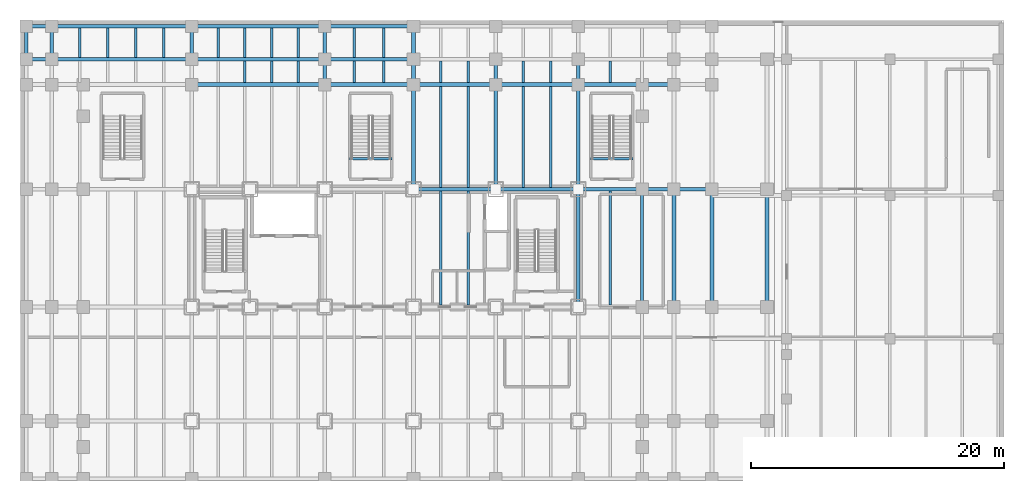
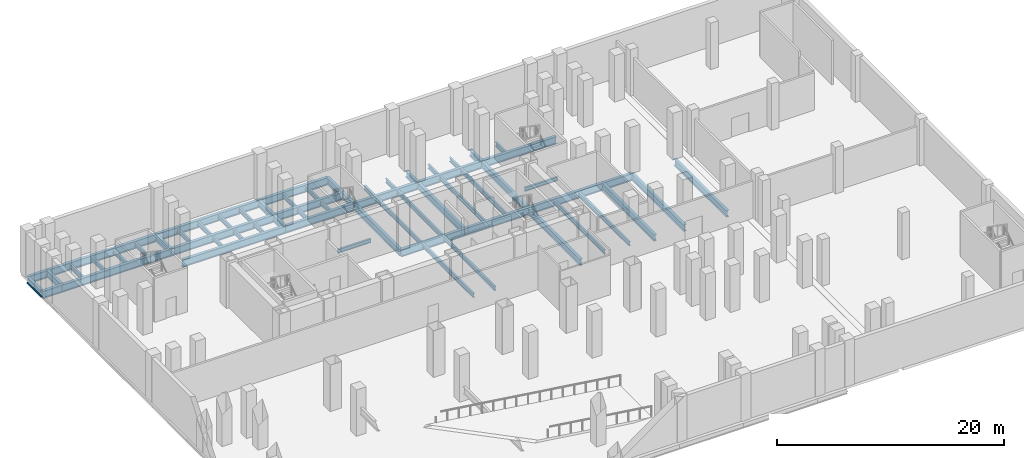
# One storey, part 5 of 18: 63 beams.
"""IFC4 building model written with IfcOpenShell, lengths in metres."""

from ifc_helpers import new_model, si_unit, direction, frame, origin, origin_2d, place, context, subcontext, project, spatial, i_section, extrude, material, material_profile, profile_set, type_object, element, save


model = new_model("IFC4")

# Units and contexts
model_context = context("Model", 3, precision=1e-05, world=origin(), true_north=direction((0.0, 1.0)))
body_context = subcontext(model_context, "Body", "Model", "MODEL_VIEW")
ifc_project = project(units=[si_unit("LENGTHUNIT", "METRE"), si_unit("AREAUNIT", "SQUARE_METRE"), si_unit("VOLUMEUNIT", "CUBIC_METRE"), si_unit("PLANEANGLEUNIT", "RADIAN"), si_unit("MASSUNIT", "GRAM", prefix="KILO")], contexts=[model_context])

# Site, building, storey
site_placement = place(None, origin())
site = spatial("IfcSite", under=ifc_project, at=site_placement, CompositionType="ELEMENT")
building_placement = place(site_placement, origin())
building = spatial("IfcBuilding", under=site, at=building_placement, Name="Noeulbin Bourse Tower", CompositionType="ELEMENT")
storey_placement = place(building_placement, frame((0.0, 0.0, -5.0)))
storey = spatial("IfcBuildingStorey", under=building, at=storey_placement, Name="B01", CompositionType="ELEMENT", Elevation=-5.0)

# Beams
ifc_material = material(Name="Steel S355", Category="steel")
ifc_material_profile_1 = material_profile(ifc_material, i_section(OverallWidth=0.300048828125, OverallDepth=0.699951171875, WebThickness=0.012939453125, FlangeThickness=0.02392578125, FilletRadius=0.02392578125, at=origin_2d()), Name="H-700x300x13x24", Category="LoadBearing")
ifc_profile_set_1 = profile_set([ifc_material_profile_1], Name="Steel S355")
beam_type_1 = type_object("IfcBeamType", Name="BM-GRD-700", PredefinedType="USERDEFINED", material=ifc_profile_set_1)
for number, where, z_axis, x_axis, name in (
    (1, (0.449951171875, 48.550048828125, -0.6298828125), (0.0, 1.0, 0.0), (-1.0, 0.0, 0.0), "Podium Primary Girder NS B01-080"),
    (2, (2.449951171875, 48.550048828125, -0.6298828125), (0.0, 1.0, 0.0), (-1.0, 0.0, 0.0), "Podium Primary Girder NS B01-088"),
    (3, (13.5, 48.550048828125, -0.6298828125), (0.0, 1.0, 0.0), (-1.0, 0.0, 0.0), "Podium Primary Girder NS B01-096"),
):
    element("IfcBeam", number, at=place(storey_placement, frame(where, z_axis=z_axis, x_axis=x_axis)), inside=storey, type_object=beam_type_1, Name=name, ObjectType="GIRDER", PredefinedType="USERDEFINED", context=body_context, shape_type="SweptSolid", body=[
        extrude(i_section(OverallWidth=0.300048828125, OverallDepth=0.699951171875, WebThickness=0.012939453125, FlangeThickness=0.02392578125, FilletRadius=0.02392578125, at=origin_2d()), origin(), (0.0, 0.0, 1.0), 2.599853515625),
    ])
beam_1_placement = place(storey_placement, frame((24.0, 46.550048828125, -0.6298828125), z_axis=(0.0, 1.0, 0.0), x_axis=(-1.0, 0.0, 0.0)))
element("IfcBeam", 4, at=beam_1_placement, inside=storey, type_object=beam_type_1, Name="Podium Primary Girder NS B01-103", ObjectType="GIRDER", PredefinedType="USERDEFINED", context=body_context, shape_type="SweptSolid", body=[
    extrude(i_section(OverallWidth=0.300048828125, OverallDepth=0.699951171875, WebThickness=0.012939453125, FlangeThickness=0.02392578125, FilletRadius=0.02392578125, at=origin_2d()), origin(), (0.0, 0.0, 1.0), 2.0),
])
beam_2_placement = place(storey_placement, frame((24.0, 48.550048828125, -0.6298828125), z_axis=(0.0, 1.0, 0.0), x_axis=(-1.0, 0.0, 0.0)))
element("IfcBeam", 5, at=beam_2_placement, inside=storey, type_object=beam_type_1, Name="Podium Primary Girder NS B01-104", ObjectType="GIRDER", PredefinedType="USERDEFINED", context=body_context, shape_type="SweptSolid", body=[
    extrude(i_section(OverallWidth=0.300048828125, OverallDepth=0.699951171875, WebThickness=0.012939453125, FlangeThickness=0.02392578125, FilletRadius=0.02392578125, at=origin_2d()), origin(), (0.0, 0.0, 1.0), 2.599853515625),
])
beam_3_placement = place(storey_placement, frame((31.0, 38.300048828125, -0.6298828125), z_axis=(0.0, 1.0, 0.0), x_axis=(-1.0, 0.0, 0.0)))
element("IfcBeam", 6, at=beam_3_placement, inside=storey, type_object=beam_type_1, Name="Podium Primary Girder NS B01-110", ObjectType="GIRDER", PredefinedType="USERDEFINED", context=body_context, shape_type="SweptSolid", body=[
    extrude(i_section(OverallWidth=0.300048828125, OverallDepth=0.699951171875, WebThickness=0.012939453125, FlangeThickness=0.02392578125, FilletRadius=0.02392578125, at=origin_2d()), origin(), (0.0, 0.0, 1.0), 8.25),
])
beam_4_placement = place(storey_placement, frame((31.0, 46.550048828125, -0.6298828125), z_axis=(0.0, 1.0, 0.0), x_axis=(-1.0, 0.0, 0.0)))
element("IfcBeam", 7, at=beam_4_placement, inside=storey, type_object=beam_type_1, Name="Podium Primary Girder NS B01-111", ObjectType="GIRDER", PredefinedType="USERDEFINED", context=body_context, shape_type="SweptSolid", body=[
    extrude(i_section(OverallWidth=0.300048828125, OverallDepth=0.699951171875, WebThickness=0.012939453125, FlangeThickness=0.02392578125, FilletRadius=0.02392578125, at=origin_2d()), origin(), (0.0, 0.0, 1.0), 2.0),
])
beam_5_placement = place(storey_placement, frame((31.0, 48.550048828125, -0.6298828125), z_axis=(0.0, 1.0, 0.0), x_axis=(-1.0, 0.0, 0.0)))
element("IfcBeam", 8, at=beam_5_placement, inside=storey, type_object=beam_type_1, Name="Podium Primary Girder NS B01-112", ObjectType="GIRDER", PredefinedType="USERDEFINED", context=body_context, shape_type="SweptSolid", body=[
    extrude(i_section(OverallWidth=0.300048828125, OverallDepth=0.699951171875, WebThickness=0.012939453125, FlangeThickness=0.02392578125, FilletRadius=0.02392578125, at=origin_2d()), origin(), (0.0, 0.0, 1.0), 2.599853515625),
])
beam_6_placement = place(storey_placement, frame((37.5, 38.300048828125, -0.6298828125), z_axis=(0.0, 1.0, 0.0), x_axis=(-1.0, 0.0, 0.0)))
element("IfcBeam", 9, at=beam_6_placement, inside=storey, type_object=beam_type_1, Name="Podium Primary Girder NS B01-117", ObjectType="GIRDER", PredefinedType="USERDEFINED", context=body_context, shape_type="SweptSolid", body=[
    extrude(i_section(OverallWidth=0.300048828125, OverallDepth=0.699951171875, WebThickness=0.012939453125, FlangeThickness=0.02392578125, FilletRadius=0.02392578125, at=origin_2d()), origin(), (0.0, 0.0, 1.0), 8.25),
])
beam_7_placement = place(storey_placement, frame((37.5, 46.550048828125, -0.6298828125), z_axis=(0.0, 1.0, 0.0), x_axis=(-1.0, 0.0, 0.0)))
element("IfcBeam", 10, at=beam_7_placement, inside=storey, type_object=beam_type_1, Name="Podium Primary Girder NS B01-118", ObjectType="GIRDER", PredefinedType="USERDEFINED", context=body_context, shape_type="SweptSolid", body=[
    extrude(i_section(OverallWidth=0.300048828125, OverallDepth=0.699951171875, WebThickness=0.012939453125, FlangeThickness=0.02392578125, FilletRadius=0.02392578125, at=origin_2d()), origin(), (0.0, 0.0, 1.0), 2.0),
])
beam_8_placement = place(storey_placement, frame((44.0, 29.0, -0.6298828125), z_axis=(0.0, 1.0, 0.0), x_axis=(-1.0, 0.0, 0.0)))
element("IfcBeam", 11, at=beam_8_placement, inside=storey, type_object=beam_type_1, Name="Podium Primary Girder NS B01-124", ObjectType="GIRDER", PredefinedType="USERDEFINED", context=body_context, shape_type="SweptSolid", body=[
    extrude(i_section(OverallWidth=0.300048828125, OverallDepth=0.699951171875, WebThickness=0.012939453125, FlangeThickness=0.02392578125, FilletRadius=0.02392578125, at=origin_2d()), origin(), (0.0, 0.0, 1.0), 9.300048828125),
])
beam_9_placement = place(storey_placement, frame((44.0, 38.300048828125, -0.6298828125), z_axis=(0.0, 1.0, 0.0), x_axis=(-1.0, 0.0, 0.0)))
element("IfcBeam", 12, at=beam_9_placement, inside=storey, type_object=beam_type_1, Name="Podium Primary Girder NS B01-125", ObjectType="GIRDER", PredefinedType="USERDEFINED", context=body_context, shape_type="SweptSolid", body=[
    extrude(i_section(OverallWidth=0.300048828125, OverallDepth=0.699951171875, WebThickness=0.012939453125, FlangeThickness=0.02392578125, FilletRadius=0.02392578125, at=origin_2d()), origin(), (0.0, 0.0, 1.0), 8.25),
])
beam_10_placement = place(storey_placement, frame((44.0, 46.550048828125, -0.6298828125), z_axis=(0.0, 1.0, 0.0), x_axis=(-1.0, 0.0, 0.0)))
element("IfcBeam", 13, at=beam_10_placement, inside=storey, type_object=beam_type_1, Name="Podium Primary Girder NS B01-126", ObjectType="GIRDER", PredefinedType="USERDEFINED", context=body_context, shape_type="SweptSolid", body=[
    extrude(i_section(OverallWidth=0.300048828125, OverallDepth=0.699951171875, WebThickness=0.012939453125, FlangeThickness=0.02392578125, FilletRadius=0.02392578125, at=origin_2d()), origin(), (0.0, 0.0, 1.0), 2.0),
])
for number, where, z_axis, x_axis, name in (
    (14, (51.550048828125, 29.0, -0.6298828125), (0.0, 1.0, 0.0), (-1.0, 0.0, 0.0), "Podium Primary Girder NS B01-132"),
    (15, (54.550048828125, 29.0, -0.6298828125), (0.0, 1.0, 0.0), (-1.0, 0.0, 0.0), "Podium Primary Girder NS B01-140"),
    (16, (58.89990234375, 29.0, -0.6298828125), (0.0, 1.0, 0.0), (-1.0, 0.0, 0.0), "BM-B01-JNT-NS-4"),
):
    element("IfcBeam", number, at=place(storey_placement, frame(where, z_axis=z_axis, x_axis=x_axis)), inside=storey, type_object=beam_type_1, Name=name, ObjectType="GIRDER", PredefinedType="USERDEFINED", context=body_context, shape_type="SweptSolid", body=[
        extrude(i_section(OverallWidth=0.300048828125, OverallDepth=0.699951171875, WebThickness=0.012939453125, FlangeThickness=0.02392578125, FilletRadius=0.02392578125, at=origin_2d()), origin(), (0.0, 0.0, 1.0), 9.300048828125),
    ])
ifc_material_profile_2 = material_profile(ifc_material, i_section(OverallWidth=0.300048828125, OverallDepth=0.800048828125, WebThickness=0.013916015625, FlangeThickness=0.02587890625, FilletRadius=0.02587890625, at=origin_2d()), Name="H-800x300x14x26", Category="LoadBearing")
ifc_profile_set_2 = profile_set([ifc_material_profile_2], Name="Steel S355")
beam_type_2 = type_object("IfcBeamType", Name="BM-GRD-800", PredefinedType="USERDEFINED", material=ifc_profile_set_2)
for number, where, z_axis, x_axis, name in (
    (17, (31.0, 38.300048828125, -0.679931640625), (1.0, 0.0, 0.0), (0.0, 1.0, 0.0), "Podium Primary Girder EW B01-045"),
    (18, (37.5, 38.300048828125, -0.679931640625), (1.0, 0.0, 0.0), (0.0, 1.0, 0.0), "Podium Primary Girder EW B01-046"),
):
    element("IfcBeam", number, at=place(storey_placement, frame(where, z_axis=z_axis, x_axis=x_axis)), inside=storey, type_object=beam_type_2, Name=name, ObjectType="GIRDER", PredefinedType="USERDEFINED", context=body_context, shape_type="SweptSolid", body=[
        extrude(i_section(OverallWidth=0.300048828125, OverallDepth=0.800048828125, WebThickness=0.013916015625, FlangeThickness=0.02587890625, FilletRadius=0.02587890625, at=origin_2d()), origin(), (0.0, 0.0, 1.0), 6.5),
    ])
beam_11_placement = place(storey_placement, frame((44.0, 38.300048828125, -0.679931640625), z_axis=(1.0, 0.0, 0.0), x_axis=(0.0, 1.0, 0.0)))
element("IfcBeam", 19, at=beam_11_placement, inside=storey, type_object=beam_type_2, Name="Podium Primary Girder EW B01-047", ObjectType="GIRDER", PredefinedType="USERDEFINED", context=body_context, shape_type="SweptSolid", body=[
    extrude(i_section(OverallWidth=0.300048828125, OverallDepth=0.800048828125, WebThickness=0.013916015625, FlangeThickness=0.02587890625, FilletRadius=0.02587890625, at=origin_2d()), origin(), (0.0, 0.0, 1.0), 7.550048828125),
])
beam_12_placement = place(storey_placement, frame((51.550048828125, 38.300048828125, -0.679931640625), z_axis=(1.0, 0.0, 0.0), x_axis=(0.0, 1.0, 0.0)))
element("IfcBeam", 20, at=beam_12_placement, inside=storey, type_object=beam_type_2, Name="Podium Primary Girder EW B01-048", ObjectType="GIRDER", PredefinedType="USERDEFINED", context=body_context, shape_type="SweptSolid", body=[
    extrude(i_section(OverallWidth=0.300048828125, OverallDepth=0.800048828125, WebThickness=0.013916015625, FlangeThickness=0.02587890625, FilletRadius=0.02587890625, at=origin_2d()), origin(), (0.0, 0.0, 1.0), 3.0),
])
beam_13_placement = place(storey_placement, frame((13.5, 46.550048828125, -0.679931640625), z_axis=(1.0, 0.0, 0.0), x_axis=(0.0, 1.0, 0.0)))
element("IfcBeam", 21, at=beam_13_placement, inside=storey, type_object=beam_type_2, Name="Podium Primary Girder EW B01-051", ObjectType="GIRDER", PredefinedType="USERDEFINED", context=body_context, shape_type="SweptSolid", body=[
    extrude(i_section(OverallWidth=0.300048828125, OverallDepth=0.800048828125, WebThickness=0.013916015625, FlangeThickness=0.02587890625, FilletRadius=0.02587890625, at=origin_2d()), origin(), (0.0, 0.0, 1.0), 10.5),
])
beam_14_placement = place(storey_placement, frame((24.0, 46.550048828125, -0.679931640625), z_axis=(1.0, 0.0, 0.0), x_axis=(0.0, 1.0, 0.0)))
element("IfcBeam", 22, at=beam_14_placement, inside=storey, type_object=beam_type_2, Name="Podium Primary Girder EW B01-052", ObjectType="GIRDER", PredefinedType="USERDEFINED", context=body_context, shape_type="SweptSolid", body=[
    extrude(i_section(OverallWidth=0.300048828125, OverallDepth=0.800048828125, WebThickness=0.013916015625, FlangeThickness=0.02587890625, FilletRadius=0.02587890625, at=origin_2d()), origin(), (0.0, 0.0, 1.0), 7.0),
])
for number, where, z_axis, x_axis, name in (
    (23, (31.0, 46.550048828125, -0.679931640625), (1.0, 0.0, 0.0), (0.0, 1.0, 0.0), "Podium Primary Girder EW B01-053"),
    (24, (37.5, 46.550048828125, -0.679931640625), (1.0, 0.0, 0.0), (0.0, 1.0, 0.0), "Podium Primary Girder EW B01-054"),
):
    element("IfcBeam", number, at=place(storey_placement, frame(where, z_axis=z_axis, x_axis=x_axis)), inside=storey, type_object=beam_type_2, Name=name, ObjectType="GIRDER", PredefinedType="USERDEFINED", context=body_context, shape_type="SweptSolid", body=[
        extrude(i_section(OverallWidth=0.300048828125, OverallDepth=0.800048828125, WebThickness=0.013916015625, FlangeThickness=0.02587890625, FilletRadius=0.02587890625, at=origin_2d()), origin(), (0.0, 0.0, 1.0), 6.5),
    ])
beam_15_placement = place(storey_placement, frame((44.0, 46.550048828125, -0.679931640625), z_axis=(1.0, 0.0, 0.0), x_axis=(0.0, 1.0, 0.0)))
element("IfcBeam", 25, at=beam_15_placement, inside=storey, type_object=beam_type_2, Name="Podium Primary Girder EW B01-055", ObjectType="GIRDER", PredefinedType="USERDEFINED", context=body_context, shape_type="SweptSolid", body=[
    extrude(i_section(OverallWidth=0.300048828125, OverallDepth=0.800048828125, WebThickness=0.013916015625, FlangeThickness=0.02587890625, FilletRadius=0.02587890625, at=origin_2d()), origin(), (0.0, 0.0, 1.0), 7.550048828125),
])
beam_16_placement = place(storey_placement, frame((0.449951171875, 48.550048828125, -0.679931640625), z_axis=(1.0, 0.0, 0.0), x_axis=(0.0, 1.0, 0.0)))
element("IfcBeam", 26, at=beam_16_placement, inside=storey, type_object=beam_type_2, Name="Podium Primary Girder EW B01-057", ObjectType="GIRDER", PredefinedType="USERDEFINED", context=body_context, shape_type="SweptSolid", body=[
    extrude(i_section(OverallWidth=0.300048828125, OverallDepth=0.800048828125, WebThickness=0.013916015625, FlangeThickness=0.02587890625, FilletRadius=0.02587890625, at=origin_2d()), origin(), (0.0, 0.0, 1.0), 2.0),
])
beam_17_placement = place(storey_placement, frame((2.449951171875, 48.550048828125, -0.679931640625), z_axis=(1.0, 0.0, 0.0), x_axis=(0.0, 1.0, 0.0)))
element("IfcBeam", 27, at=beam_17_placement, inside=storey, type_object=beam_type_2, Name="Podium Primary Girder EW B01-058", ObjectType="GIRDER", PredefinedType="USERDEFINED", context=body_context, shape_type="SweptSolid", body=[
    extrude(i_section(OverallWidth=0.300048828125, OverallDepth=0.800048828125, WebThickness=0.013916015625, FlangeThickness=0.02587890625, FilletRadius=0.02587890625, at=origin_2d()), origin(), (0.0, 0.0, 1.0), 11.050048828125),
])
beam_18_placement = place(storey_placement, frame((13.5, 48.550048828125, -0.679931640625), z_axis=(1.0, 0.0, 0.0), x_axis=(0.0, 1.0, 0.0)))
element("IfcBeam", 28, at=beam_18_placement, inside=storey, type_object=beam_type_2, Name="Podium Primary Girder EW B01-059", ObjectType="GIRDER", PredefinedType="USERDEFINED", context=body_context, shape_type="SweptSolid", body=[
    extrude(i_section(OverallWidth=0.300048828125, OverallDepth=0.800048828125, WebThickness=0.013916015625, FlangeThickness=0.02587890625, FilletRadius=0.02587890625, at=origin_2d()), origin(), (0.0, 0.0, 1.0), 10.5),
])
beam_19_placement = place(storey_placement, frame((24.0, 48.550048828125, -0.679931640625), z_axis=(1.0, 0.0, 0.0), x_axis=(0.0, 1.0, 0.0)))
element("IfcBeam", 29, at=beam_19_placement, inside=storey, type_object=beam_type_2, Name="Podium Primary Girder EW B01-060", ObjectType="GIRDER", PredefinedType="USERDEFINED", context=body_context, shape_type="SweptSolid", body=[
    extrude(i_section(OverallWidth=0.300048828125, OverallDepth=0.800048828125, WebThickness=0.013916015625, FlangeThickness=0.02587890625, FilletRadius=0.02587890625, at=origin_2d()), origin(), (0.0, 0.0, 1.0), 7.0),
])
beam_20_placement = place(storey_placement, frame((0.449951171875, 51.14990234375, -0.679931640625), z_axis=(1.0, 0.0, 0.0), x_axis=(0.0, 1.0, 0.0)))
element("IfcBeam", 30, at=beam_20_placement, inside=storey, type_object=beam_type_2, Name="Podium Primary Girder EW B01-065", ObjectType="GIRDER", PredefinedType="USERDEFINED", context=body_context, shape_type="SweptSolid", body=[
    extrude(i_section(OverallWidth=0.300048828125, OverallDepth=0.800048828125, WebThickness=0.013916015625, FlangeThickness=0.02587890625, FilletRadius=0.02587890625, at=origin_2d()), origin(), (0.0, 0.0, 1.0), 2.0),
])
beam_21_placement = place(storey_placement, frame((2.449951171875, 51.14990234375, -0.679931640625), z_axis=(1.0, 0.0, 0.0), x_axis=(0.0, 1.0, 0.0)))
element("IfcBeam", 31, at=beam_21_placement, inside=storey, type_object=beam_type_2, Name="Podium Primary Girder EW B01-066", ObjectType="GIRDER", PredefinedType="USERDEFINED", context=body_context, shape_type="SweptSolid", body=[
    extrude(i_section(OverallWidth=0.300048828125, OverallDepth=0.800048828125, WebThickness=0.013916015625, FlangeThickness=0.02587890625, FilletRadius=0.02587890625, at=origin_2d()), origin(), (0.0, 0.0, 1.0), 11.050048828125),
])
beam_22_placement = place(storey_placement, frame((13.5, 51.14990234375, -0.679931640625), z_axis=(1.0, 0.0, 0.0), x_axis=(0.0, 1.0, 0.0)))
element("IfcBeam", 32, at=beam_22_placement, inside=storey, type_object=beam_type_2, Name="Podium Primary Girder EW B01-067", ObjectType="GIRDER", PredefinedType="USERDEFINED", context=body_context, shape_type="SweptSolid", body=[
    extrude(i_section(OverallWidth=0.300048828125, OverallDepth=0.800048828125, WebThickness=0.013916015625, FlangeThickness=0.02587890625, FilletRadius=0.02587890625, at=origin_2d()), origin(), (0.0, 0.0, 1.0), 10.5),
])
beam_23_placement = place(storey_placement, frame((24.0, 51.14990234375, -0.679931640625), z_axis=(1.0, 0.0, 0.0), x_axis=(0.0, 1.0, 0.0)))
element("IfcBeam", 33, at=beam_23_placement, inside=storey, type_object=beam_type_2, Name="Podium Primary Girder EW B01-068", ObjectType="GIRDER", PredefinedType="USERDEFINED", context=body_context, shape_type="SweptSolid", body=[
    extrude(i_section(OverallWidth=0.300048828125, OverallDepth=0.800048828125, WebThickness=0.013916015625, FlangeThickness=0.02587890625, FilletRadius=0.02587890625, at=origin_2d()), origin(), (0.0, 0.0, 1.0), 7.0),
])
ifc_material_profile_3 = material_profile(ifc_material, i_section(OverallWidth=0.199951171875, OverallDepth=0.39990234375, WebThickness=0.008056640625, FlangeThickness=0.012939453125, FilletRadius=0.01611328125, at=origin_2d()), Name="H-400x200x8x13", Category="LoadBearing")
ifc_profile_set_3 = profile_set([ifc_material_profile_3], Name="Steel S355")
beam_type_3 = type_object("IfcBeamType", Name="BM-SEC-400", PredefinedType="BEAM", material=ifc_profile_set_3)
for number, where, z_axis, x_axis, name in (
    (34, (25.9599609375, 40.68994140625, -0.199951171875), (1.0, 0.0, 0.0), (0.0, 1.0, 0.0), "Stair Threshold Trimmer Beam STS2-B01"),
    (35, (44.9599609375, 40.68994140625, -0.199951171875), (1.0, 0.0, 0.0), (0.0, 1.0, 0.0), "Stair Threshold Trimmer Beam STS3-B01"),
):
    element("IfcBeam", number, at=place(storey_placement, frame(where, z_axis=z_axis, x_axis=x_axis)), inside=storey, type_object=beam_type_3, Name=name, PredefinedType="BEAM", context=body_context, shape_type="SweptSolid", body=[
        extrude(i_section(OverallWidth=0.199951171875, OverallDepth=0.39990234375, WebThickness=0.008056640625, FlangeThickness=0.012939453125, FilletRadius=0.01611328125, at=origin_2d()), origin(), (0.0, 0.0, 1.0), 3.360107421875),
    ])
ifc_material_profile_4 = material_profile(ifc_material, i_section(OverallWidth=0.199951171875, OverallDepth=0.449951171875, WebThickness=0.009033203125, FlangeThickness=0.013916015625, FilletRadius=0.01806640625, at=origin_2d()), Name="H-450x200x9x14", Category="LoadBearing")
ifc_profile_set_4 = profile_set([ifc_material_profile_4], Name="Steel S355")
beam_type_4 = type_object("IfcBeamType", Name="BM-SEC-450", PredefinedType="BEAM", material=ifc_profile_set_4)
for number, where, z_axis, x_axis, name in (
    (36, (4.659912109375, 48.699951171875, -0.5048828125), (0.0, 1.0, 0.0), (-1.0, 0.0, 0.0), "Podium Secondary Beam B01-008"),
    (37, (6.8701171875, 48.699951171875, -0.5048828125), (0.0, 1.0, 0.0), (-1.0, 0.0, 0.0), "Podium Secondary Beam B01-015"),
    (38, (9.080078125, 48.699951171875, -0.5048828125), (0.0, 1.0, 0.0), (-1.0, 0.0, 0.0), "Podium Secondary Beam B01-022"),
    (39, (11.2900390625, 48.699951171875, -0.5048828125), (0.0, 1.0, 0.0), (-1.0, 0.0, 0.0), "Podium Secondary Beam B01-030"),
    (40, (15.60009765625, 48.699951171875, -0.5048828125), (0.0, 1.0, 0.0), (-1.0, 0.0, 0.0), "Podium Secondary Beam B01-037"),
):
    element("IfcBeam", number, at=place(storey_placement, frame(where, z_axis=z_axis, x_axis=x_axis)), inside=storey, type_object=beam_type_4, Name=name, PredefinedType="BEAM", context=body_context, shape_type="SweptSolid", body=[
        extrude(i_section(OverallWidth=0.199951171875, OverallDepth=0.449951171875, WebThickness=0.009033203125, FlangeThickness=0.013916015625, FilletRadius=0.01806640625, at=origin_2d()), origin(), (0.0, 0.0, 1.0), 2.300048828125),
    ])
beam_24_placement = place(storey_placement, frame((17.699951171875, 46.699951171875, -0.5048828125), z_axis=(0.0, 1.0, 0.0), x_axis=(-1.0, 0.0, 0.0)))
element("IfcBeam", 41, at=beam_24_placement, inside=storey, type_object=beam_type_4, Name="Podium Secondary Beam B01-043", PredefinedType="BEAM", context=body_context, shape_type="SweptSolid", body=[
    extrude(i_section(OverallWidth=0.199951171875, OverallDepth=0.449951171875, WebThickness=0.009033203125, FlangeThickness=0.013916015625, FilletRadius=0.01806640625, at=origin_2d()), origin(), (0.0, 0.0, 1.0), 1.699951171875),
])
beam_25_placement = place(storey_placement, frame((17.699951171875, 48.699951171875, -0.5048828125), z_axis=(0.0, 1.0, 0.0), x_axis=(-1.0, 0.0, 0.0)))
element("IfcBeam", 42, at=beam_25_placement, inside=storey, type_object=beam_type_4, Name="Podium Secondary Beam B01-044", PredefinedType="BEAM", context=body_context, shape_type="SweptSolid", body=[
    extrude(i_section(OverallWidth=0.199951171875, OverallDepth=0.449951171875, WebThickness=0.009033203125, FlangeThickness=0.013916015625, FilletRadius=0.01806640625, at=origin_2d()), origin(), (0.0, 0.0, 1.0), 2.300048828125),
])
beam_26_placement = place(storey_placement, frame((19.800048828125, 46.699951171875, -0.5048828125), z_axis=(0.0, 1.0, 0.0), x_axis=(-1.0, 0.0, 0.0)))
element("IfcBeam", 43, at=beam_26_placement, inside=storey, type_object=beam_type_4, Name="Podium Secondary Beam B01-050", PredefinedType="BEAM", context=body_context, shape_type="SweptSolid", body=[
    extrude(i_section(OverallWidth=0.199951171875, OverallDepth=0.449951171875, WebThickness=0.009033203125, FlangeThickness=0.013916015625, FilletRadius=0.01806640625, at=origin_2d()), origin(), (0.0, 0.0, 1.0), 1.699951171875),
])
beam_27_placement = place(storey_placement, frame((19.800048828125, 48.699951171875, -0.5048828125), z_axis=(0.0, 1.0, 0.0), x_axis=(-1.0, 0.0, 0.0)))
element("IfcBeam", 44, at=beam_27_placement, inside=storey, type_object=beam_type_4, Name="Podium Secondary Beam B01-051", PredefinedType="BEAM", context=body_context, shape_type="SweptSolid", body=[
    extrude(i_section(OverallWidth=0.199951171875, OverallDepth=0.449951171875, WebThickness=0.009033203125, FlangeThickness=0.013916015625, FilletRadius=0.01806640625, at=origin_2d()), origin(), (0.0, 0.0, 1.0), 2.300048828125),
])
beam_28_placement = place(storey_placement, frame((21.89990234375, 46.699951171875, -0.5048828125), z_axis=(0.0, 1.0, 0.0), x_axis=(-1.0, 0.0, 0.0)))
element("IfcBeam", 45, at=beam_28_placement, inside=storey, type_object=beam_type_4, Name="Podium Secondary Beam B01-057", PredefinedType="BEAM", context=body_context, shape_type="SweptSolid", body=[
    extrude(i_section(OverallWidth=0.199951171875, OverallDepth=0.449951171875, WebThickness=0.009033203125, FlangeThickness=0.013916015625, FilletRadius=0.01806640625, at=origin_2d()), origin(), (0.0, 0.0, 1.0), 1.699951171875),
])
beam_29_placement = place(storey_placement, frame((21.89990234375, 48.699951171875, -0.5048828125), z_axis=(0.0, 1.0, 0.0), x_axis=(-1.0, 0.0, 0.0)))
element("IfcBeam", 46, at=beam_29_placement, inside=storey, type_object=beam_type_4, Name="Podium Secondary Beam B01-058", PredefinedType="BEAM", context=body_context, shape_type="SweptSolid", body=[
    extrude(i_section(OverallWidth=0.199951171875, OverallDepth=0.449951171875, WebThickness=0.009033203125, FlangeThickness=0.013916015625, FilletRadius=0.01806640625, at=origin_2d()), origin(), (0.0, 0.0, 1.0), 2.300048828125),
])
beam_30_placement = place(storey_placement, frame((26.333251953125, 46.699951171875, -0.5048828125), z_axis=(0.0, 1.0, 0.0), x_axis=(-1.0, 0.0, 0.0)))
element("IfcBeam", 47, at=beam_30_placement, inside=storey, type_object=beam_type_4, Name="Podium Secondary Beam B01-064", PredefinedType="BEAM", context=body_context, shape_type="SweptSolid", body=[
    extrude(i_section(OverallWidth=0.199951171875, OverallDepth=0.449951171875, WebThickness=0.009033203125, FlangeThickness=0.013916015625, FilletRadius=0.01806640625, at=origin_2d()), origin(), (0.0, 0.0, 1.0), 1.699951171875),
])
beam_31_placement = place(storey_placement, frame((26.333251953125, 48.699951171875, -0.5048828125), z_axis=(0.0, 1.0, 0.0), x_axis=(-1.0, 0.0, 0.0)))
element("IfcBeam", 48, at=beam_31_placement, inside=storey, type_object=beam_type_4, Name="Podium Secondary Beam B01-065", PredefinedType="BEAM", context=body_context, shape_type="SweptSolid", body=[
    extrude(i_section(OverallWidth=0.199951171875, OverallDepth=0.449951171875, WebThickness=0.009033203125, FlangeThickness=0.013916015625, FilletRadius=0.01806640625, at=origin_2d()), origin(), (0.0, 0.0, 1.0), 2.300048828125),
])
beam_32_placement = place(storey_placement, frame((28.666748046875, 46.699951171875, -0.5048828125), z_axis=(0.0, 1.0, 0.0), x_axis=(-1.0, 0.0, 0.0)))
element("IfcBeam", 49, at=beam_32_placement, inside=storey, type_object=beam_type_4, Name="Podium Secondary Beam B01-071", PredefinedType="BEAM", context=body_context, shape_type="SweptSolid", body=[
    extrude(i_section(OverallWidth=0.199951171875, OverallDepth=0.449951171875, WebThickness=0.009033203125, FlangeThickness=0.013916015625, FilletRadius=0.01806640625, at=origin_2d()), origin(), (0.0, 0.0, 1.0), 1.699951171875),
])
beam_33_placement = place(storey_placement, frame((28.666748046875, 48.699951171875, -0.5048828125), z_axis=(0.0, 1.0, 0.0), x_axis=(-1.0, 0.0, 0.0)))
element("IfcBeam", 50, at=beam_33_placement, inside=storey, type_object=beam_type_4, Name="Podium Secondary Beam B01-072", PredefinedType="BEAM", context=body_context, shape_type="SweptSolid", body=[
    extrude(i_section(OverallWidth=0.199951171875, OverallDepth=0.449951171875, WebThickness=0.009033203125, FlangeThickness=0.013916015625, FilletRadius=0.01806640625, at=origin_2d()), origin(), (0.0, 0.0, 1.0), 2.300048828125),
])
beam_34_placement = place(storey_placement, frame((33.166748046875, 29.14990234375, -0.5048828125), z_axis=(0.0, 1.0, 0.0), x_axis=(-1.0, 0.0, 0.0)))
element("IfcBeam", 51, at=beam_34_placement, inside=storey, type_object=beam_type_4, Name="Podium Secondary Beam B01-077", PredefinedType="BEAM", context=body_context, shape_type="SweptSolid", body=[
    extrude(i_section(OverallWidth=0.199951171875, OverallDepth=0.449951171875, WebThickness=0.009033203125, FlangeThickness=0.013916015625, FilletRadius=0.01806640625, at=origin_2d()), origin(), (0.0, 0.0, 1.0), 9.0),
])
beam_35_placement = place(storey_placement, frame((33.166748046875, 38.449951171875, -0.5048828125), z_axis=(0.0, 1.0, 0.0), x_axis=(-1.0, 0.0, 0.0)))
element("IfcBeam", 52, at=beam_35_placement, inside=storey, type_object=beam_type_4, Name="Podium Secondary Beam B01-078", PredefinedType="BEAM", context=body_context, shape_type="SweptSolid", body=[
    extrude(i_section(OverallWidth=0.199951171875, OverallDepth=0.449951171875, WebThickness=0.009033203125, FlangeThickness=0.013916015625, FilletRadius=0.01806640625, at=origin_2d()), origin(), (0.0, 0.0, 1.0), 7.949951171875),
])
beam_36_placement = place(storey_placement, frame((33.166748046875, 46.699951171875, -0.5048828125), z_axis=(0.0, 1.0, 0.0), x_axis=(-1.0, 0.0, 0.0)))
element("IfcBeam", 53, at=beam_36_placement, inside=storey, type_object=beam_type_4, Name="Podium Secondary Beam B01-079", PredefinedType="BEAM", context=body_context, shape_type="SweptSolid", body=[
    extrude(i_section(OverallWidth=0.199951171875, OverallDepth=0.449951171875, WebThickness=0.009033203125, FlangeThickness=0.013916015625, FilletRadius=0.01806640625, at=origin_2d()), origin(), (0.0, 0.0, 1.0), 1.699951171875),
])
beam_37_placement = place(storey_placement, frame((35.333251953125, 29.14990234375, -0.5048828125), z_axis=(0.0, 1.0, 0.0), x_axis=(-1.0, 0.0, 0.0)))
element("IfcBeam", 54, at=beam_37_placement, inside=storey, type_object=beam_type_4, Name="Podium Secondary Beam B01-085", PredefinedType="BEAM", context=body_context, shape_type="SweptSolid", body=[
    extrude(i_section(OverallWidth=0.199951171875, OverallDepth=0.449951171875, WebThickness=0.009033203125, FlangeThickness=0.013916015625, FilletRadius=0.01806640625, at=origin_2d()), origin(), (0.0, 0.0, 1.0), 9.0),
])
beam_38_placement = place(storey_placement, frame((35.333251953125, 38.449951171875, -0.5048828125), z_axis=(0.0, 1.0, 0.0), x_axis=(-1.0, 0.0, 0.0)))
element("IfcBeam", 55, at=beam_38_placement, inside=storey, type_object=beam_type_4, Name="Podium Secondary Beam B01-086", PredefinedType="BEAM", context=body_context, shape_type="SweptSolid", body=[
    extrude(i_section(OverallWidth=0.199951171875, OverallDepth=0.449951171875, WebThickness=0.009033203125, FlangeThickness=0.013916015625, FilletRadius=0.01806640625, at=origin_2d()), origin(), (0.0, 0.0, 1.0), 7.949951171875),
])
beam_39_placement = place(storey_placement, frame((35.333251953125, 46.699951171875, -0.5048828125), z_axis=(0.0, 1.0, 0.0), x_axis=(-1.0, 0.0, 0.0)))
element("IfcBeam", 56, at=beam_39_placement, inside=storey, type_object=beam_type_4, Name="Podium Secondary Beam B01-087", PredefinedType="BEAM", context=body_context, shape_type="SweptSolid", body=[
    extrude(i_section(OverallWidth=0.199951171875, OverallDepth=0.449951171875, WebThickness=0.009033203125, FlangeThickness=0.013916015625, FilletRadius=0.01806640625, at=origin_2d()), origin(), (0.0, 0.0, 1.0), 1.699951171875),
])
beam_40_placement = place(storey_placement, frame((39.666748046875, 38.449951171875, -0.5048828125), z_axis=(0.0, 1.0, 0.0), x_axis=(-1.0, 0.0, 0.0)))
element("IfcBeam", 57, at=beam_40_placement, inside=storey, type_object=beam_type_4, Name="Podium Secondary Beam B01-093", PredefinedType="BEAM", context=body_context, shape_type="SweptSolid", body=[
    extrude(i_section(OverallWidth=0.199951171875, OverallDepth=0.449951171875, WebThickness=0.009033203125, FlangeThickness=0.013916015625, FilletRadius=0.01806640625, at=origin_2d()), origin(), (0.0, 0.0, 1.0), 7.949951171875),
])
beam_41_placement = place(storey_placement, frame((39.666748046875, 46.699951171875, -0.5048828125), z_axis=(0.0, 1.0, 0.0), x_axis=(-1.0, 0.0, 0.0)))
element("IfcBeam", 58, at=beam_41_placement, inside=storey, type_object=beam_type_4, Name="Podium Secondary Beam B01-094", PredefinedType="BEAM", context=body_context, shape_type="SweptSolid", body=[
    extrude(i_section(OverallWidth=0.199951171875, OverallDepth=0.449951171875, WebThickness=0.009033203125, FlangeThickness=0.013916015625, FilletRadius=0.01806640625, at=origin_2d()), origin(), (0.0, 0.0, 1.0), 1.699951171875),
])
beam_42_placement = place(storey_placement, frame((41.833251953125, 38.449951171875, -0.5048828125), z_axis=(0.0, 1.0, 0.0), x_axis=(-1.0, 0.0, 0.0)))
element("IfcBeam", 59, at=beam_42_placement, inside=storey, type_object=beam_type_4, Name="Podium Secondary Beam B01-100", PredefinedType="BEAM", context=body_context, shape_type="SweptSolid", body=[
    extrude(i_section(OverallWidth=0.199951171875, OverallDepth=0.449951171875, WebThickness=0.009033203125, FlangeThickness=0.013916015625, FilletRadius=0.01806640625, at=origin_2d()), origin(), (0.0, 0.0, 1.0), 7.949951171875),
])
beam_43_placement = place(storey_placement, frame((41.833251953125, 46.699951171875, -0.5048828125), z_axis=(0.0, 1.0, 0.0), x_axis=(-1.0, 0.0, 0.0)))
element("IfcBeam", 60, at=beam_43_placement, inside=storey, type_object=beam_type_4, Name="Podium Secondary Beam B01-101", PredefinedType="BEAM", context=body_context, shape_type="SweptSolid", body=[
    extrude(i_section(OverallWidth=0.199951171875, OverallDepth=0.449951171875, WebThickness=0.009033203125, FlangeThickness=0.013916015625, FilletRadius=0.01806640625, at=origin_2d()), origin(), (0.0, 0.0, 1.0), 1.699951171875),
])
beam_44_placement = place(storey_placement, frame((46.5166015625, 29.14990234375, -0.5048828125), z_axis=(0.0, 1.0, 0.0), x_axis=(-1.0, 0.0, 0.0)))
element("IfcBeam", 61, at=beam_44_placement, inside=storey, type_object=beam_type_4, Name="Podium Secondary Beam B01-107", PredefinedType="BEAM", context=body_context, shape_type="SweptSolid", body=[
    extrude(i_section(OverallWidth=0.199951171875, OverallDepth=0.449951171875, WebThickness=0.009033203125, FlangeThickness=0.013916015625, FilletRadius=0.01806640625, at=origin_2d()), origin(), (0.0, 0.0, 1.0), 9.0),
])
beam_45_placement = place(storey_placement, frame((46.5166015625, 46.699951171875, -0.5048828125), z_axis=(0.0, 1.0, 0.0), x_axis=(-1.0, 0.0, 0.0)))
element("IfcBeam", 62, at=beam_45_placement, inside=storey, type_object=beam_type_4, Name="Podium Secondary Beam B01-108", PredefinedType="BEAM", context=body_context, shape_type="SweptSolid", body=[
    extrude(i_section(OverallWidth=0.199951171875, OverallDepth=0.449951171875, WebThickness=0.009033203125, FlangeThickness=0.013916015625, FilletRadius=0.01806640625, at=origin_2d()), origin(), (0.0, 0.0, 1.0), 1.699951171875),
])
beam_46_placement = place(storey_placement, frame((49.033203125, 29.14990234375, -0.5048828125), z_axis=(0.0, 1.0, 0.0), x_axis=(-1.0, 0.0, 0.0)))
element("IfcBeam", 63, at=beam_46_placement, inside=storey, type_object=beam_type_4, Name="Podium Secondary Beam B01-114", PredefinedType="BEAM", context=body_context, shape_type="SweptSolid", body=[
    extrude(i_section(OverallWidth=0.199951171875, OverallDepth=0.449951171875, WebThickness=0.009033203125, FlangeThickness=0.013916015625, FilletRadius=0.01806640625, at=origin_2d()), origin(), (0.0, 0.0, 1.0), 9.0),
])

save(model, "model.ifc")
